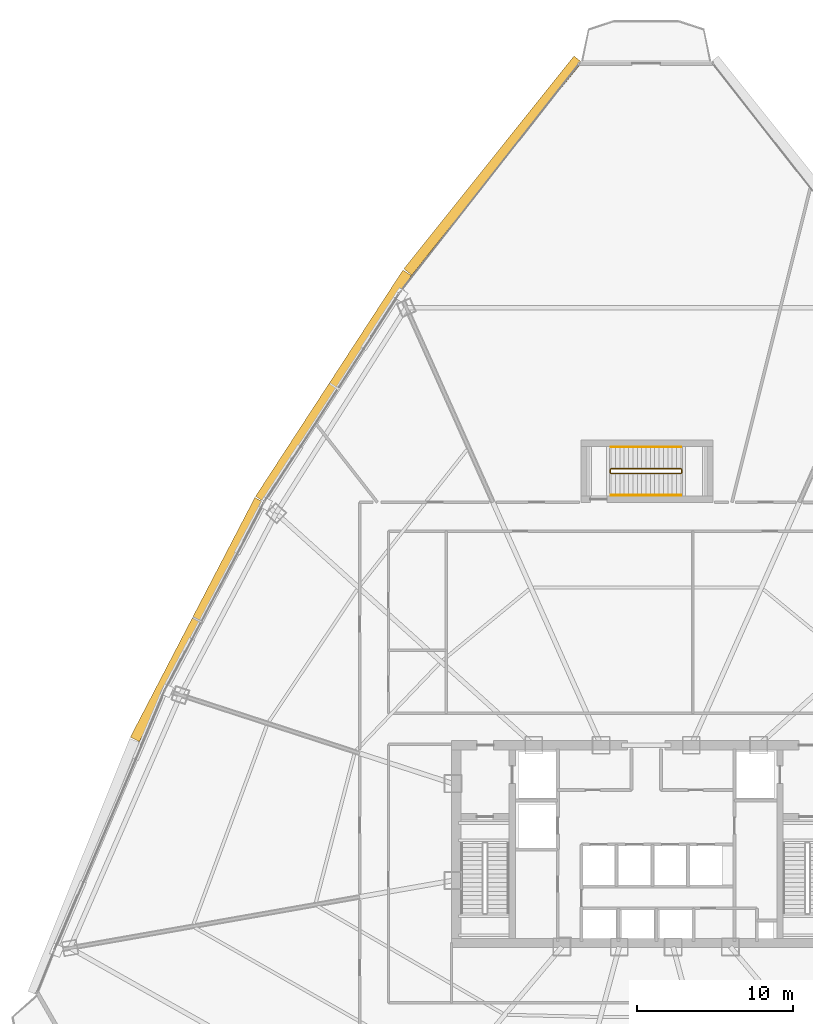
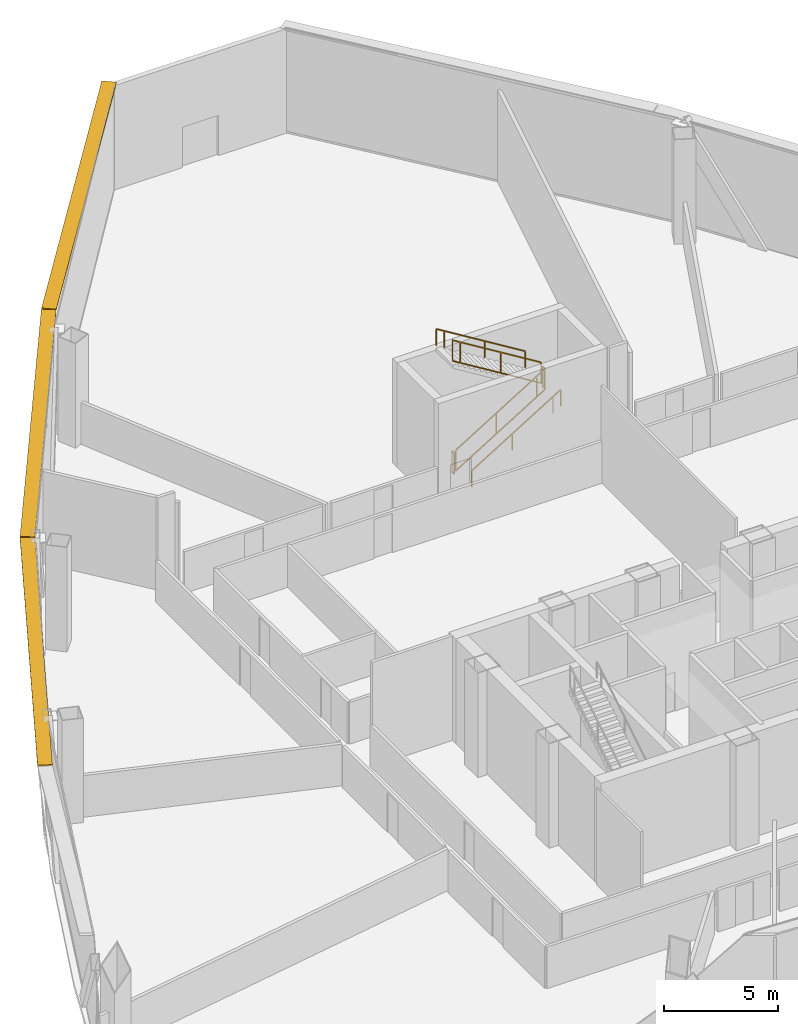
# One storey, part 39 of 40: 6 railings, 3 shading devices.
"""IFC4 building model written with IfcOpenShell, lengths in metres."""

from ifc_helpers import new_model, si_unit, direction, frame, origin, origin_2d, place, context, subcontext, project, spatial, rectangle, extrude, source, transform, mapped, material, layer, layer_set, type_object, element, save


model = new_model("IFC4")

# Units and contexts
model_context = context("Model", 3, precision=1e-05, world=origin(), true_north=direction((0.0, 1.0)))
body_context = subcontext(model_context, "Body", "Model", "MODEL_VIEW")
ifc_project = project(units=[si_unit("LENGTHUNIT", "METRE"), si_unit("AREAUNIT", "SQUARE_METRE"), si_unit("VOLUMEUNIT", "CUBIC_METRE"), si_unit("PLANEANGLEUNIT", "RADIAN"), si_unit("MASSUNIT", "GRAM", prefix="KILO"), si_unit("THERMODYNAMICTEMPERATUREUNIT", "KELVIN"), si_unit("POWERUNIT", "WATT")], contexts=[model_context])

# Site, building, storey
site_placement = place(None, origin())
site = spatial("IfcSite", under=ifc_project, at=site_placement, CompositionType="ELEMENT")
building_placement = place(site_placement, origin())
building = spatial("IfcBuilding", under=site, at=building_placement, Name="Yunzhuo Pagoda Commons", CompositionType="ELEMENT")
storey_placement = place(building_placement, frame((0.0, 0.0, 170.31005859375)))
storey = spatial("IfcBuildingStorey", under=building, at=storey_placement, Name="L43", CompositionType="ELEMENT", Elevation=170.31005859375)

# Railings
ifc_material = material(Name="Anodized aluminium 6063-T6", Category="aluminium")
railing_type_1 = type_object("IfcRailingType", Name="GR-ST3 North Well Guardrail 1155", PredefinedType="GUARDRAIL", material=ifc_material)
railing_1_placement = place(storey_placement, frame((45.75, 57.64990234375, 0.172119140625)))
element("IfcRailing", 1, at=railing_1_placement, inside=storey, type_object=railing_type_1, Name="L43 ST3 stair guard 1", PredefinedType="GUARDRAIL", context=body_context, shape_type="SweptSolid", body=[
    extrude(rectangle(XDim=0.048095703125, YDim=0.048095703125, at=origin_2d()), frame((0.0, 0.0, 1.1259765625), z_axis=(0.851996104429, 0.0, 0.523548123899), x_axis=(0.0, 1.0, 0.0)), (0.0, 0.0, 1.0), 5.25830078125),
    extrude(rectangle(XDim=0.048095703125, YDim=0.048095703125, at=origin_2d()), frame((0.0, 0.0, 0.02392578125), z_axis=(0.851996104429, 0.0, 0.523548123899), x_axis=(0.0, 1.0, 0.0)), (0.0, 0.0, 1.0), 5.25830078125),
    extrude(rectangle(XDim=0.0419921875, YDim=0.0419921875, at=origin_2d()), origin(), (0.0, 0.0, 1.0), 1.101806640625),
    extrude(rectangle(XDim=0.0419921875, YDim=0.0419921875, at=origin_2d()), frame((2.044677734375, 0.0, 1.256591796875)), (0.0, 0.0, 1.0), 1.101806640625),
    extrude(rectangle(XDim=0.0419921875, YDim=0.0419921875, at=origin_2d()), frame((4.089599609375, 0.0, 2.512939453125)), (0.0, 0.0, 1.0), 1.101806640625),
    extrude(rectangle(XDim=0.0419921875, YDim=0.0419921875, at=origin_2d()), frame((4.47998046875, 0.0, 2.7529296875)), (0.0, 0.0, 1.0), 1.101806640625),
])
railing_2_placement = place(storey_placement, frame((50.280029296875, 57.699951171875, 2.925048828125)))
element("IfcRailing", 2, at=railing_2_placement, inside=storey, type_object=railing_type_1, Name="L43 ST3 stair guard 2", PredefinedType="GUARDRAIL", context=body_context, shape_type="SweptSolid", body=[
    extrude(rectangle(XDim=0.048095703125, YDim=0.048095703125, at=origin_2d()), frame((0.0, 0.0, 1.1259765625), z_axis=(0.0, 1.0, 0.0), x_axis=(-1.0, 0.0, 0.0)), (0.0, 0.0, 1.0), 0.199951171875),
    extrude(rectangle(XDim=0.048095703125, YDim=0.048095703125, at=origin_2d()), frame((0.0, 0.0, 0.02392578125), z_axis=(0.0, 1.0, 0.0), x_axis=(-1.0, 0.0, 0.0)), (0.0, 0.0, 1.0), 0.199951171875),
    extrude(rectangle(XDim=0.0419921875, YDim=0.0419921875, at=origin_2d()), origin(), (0.0, 0.0, 1.0), 1.101806640625),
    extrude(rectangle(XDim=0.0419921875, YDim=0.0419921875, at=origin_2d()), frame((0.0, 0.199951171875, 0.0)), (0.0, 0.0, 1.0), 1.101806640625),
])
railing_3_placement = place(storey_placement, frame((50.22998046875, 57.949951171875, 3.096923828125)))
element("IfcRailing", 3, at=railing_3_placement, inside=storey, type_object=railing_type_1, Name="L43 ST3 stair guard 3", PredefinedType="GUARDRAIL", context=body_context, shape_type="SweptSolid", body=[
    extrude(rectangle(XDim=0.048095703125, YDim=0.048095703125, at=origin_2d()), frame((0.0, 0.0, 1.1259765625), z_axis=(-0.851996104429, 0.0, 0.523548123899), x_axis=(0.0, -1.0, 0.0)), (0.0, 0.0, 1.0), 5.25830078125),
    extrude(rectangle(XDim=0.048095703125, YDim=0.048095703125, at=origin_2d()), frame((0.0, 0.0, 0.02392578125), z_axis=(-0.851996104429, 0.0, 0.523548123899), x_axis=(0.0, -1.0, 0.0)), (0.0, 0.0, 1.0), 5.25830078125),
    extrude(rectangle(XDim=0.0419921875, YDim=0.0419921875, at=origin_2d()), origin(), (0.0, 0.0, 1.0), 1.101806640625),
    extrude(rectangle(XDim=0.0419921875, YDim=0.0419921875, at=origin_2d()), frame((-2.044677734375, 0.0, 1.256591796875)), (0.0, 0.0, 1.0), 1.101806640625),
    extrude(rectangle(XDim=0.0419921875, YDim=0.0419921875, at=origin_2d()), frame((-4.089599609375, 0.0, 2.512939453125)), (0.0, 0.0, 1.0), 1.101806640625),
    extrude(rectangle(XDim=0.0419921875, YDim=0.0419921875, at=origin_2d()), frame((-4.47998046875, 0.0, 2.7529296875)), (0.0, 0.0, 1.0), 1.101806640625),
])
railing_4_placement = place(storey_placement, frame((45.699951171875, 57.699951171875, 0.0)))
element("IfcRailing", 4, at=railing_4_placement, inside=storey, type_object=railing_type_1, Name="L43 ST3 stair guard 4", PredefinedType="GUARDRAIL", context=body_context, shape_type="SweptSolid", body=[
    extrude(rectangle(XDim=0.048095703125, YDim=0.048095703125, at=origin_2d()), frame((0.0, 0.0, 1.1259765625), z_axis=(0.0, 1.0, 0.0), x_axis=(-1.0, 0.0, 0.0)), (0.0, 0.0, 1.0), 0.199951171875),
    extrude(rectangle(XDim=0.048095703125, YDim=0.048095703125, at=origin_2d()), frame((0.0, 0.0, 0.02392578125), z_axis=(0.0, 1.0, 0.0), x_axis=(-1.0, 0.0, 0.0)), (0.0, 0.0, 1.0), 0.199951171875),
    extrude(rectangle(XDim=0.0419921875, YDim=0.0419921875, at=origin_2d()), origin(), (0.0, 0.0, 1.0), 1.101806640625),
    extrude(rectangle(XDim=0.0419921875, YDim=0.0419921875, at=origin_2d()), frame((0.0, 0.199951171875, 0.0)), (0.0, 0.0, 1.0), 1.101806640625),
])
railing_type_2 = type_object("IfcRailingType", Name="HR-ST3 North Stair Handrail 900", PredefinedType="HANDRAIL", material=ifc_material)
railing_5_placement = place(storey_placement, frame((45.75, 56.25, 0.172119140625)))
element("IfcRailing", 5, at=railing_5_placement, inside=storey, type_object=railing_type_2, Name="L43 ST3 stair handrail 1", PredefinedType="HANDRAIL", context=body_context, shape_type="SweptSolid", body=[
    extrude(rectangle(XDim=0.048095703125, YDim=0.048095703125, at=origin_2d()), frame((0.0, 0.0, 0.8759765625), z_axis=(0.851996104429, 0.0, 0.523548123899), x_axis=(0.0, 1.0, 0.0)), (0.0, 0.0, 1.0), 5.25830078125),
    extrude(rectangle(XDim=0.0419921875, YDim=0.0419921875, at=origin_2d()), origin(), (0.0, 0.0, 1.0), 0.851806640625),
    extrude(rectangle(XDim=0.0419921875, YDim=0.0419921875, at=origin_2d()), frame((2.044677734375, 0.0, 1.256591796875)), (0.0, 0.0, 1.0), 0.851806640625),
    extrude(rectangle(XDim=0.0419921875, YDim=0.0419921875, at=origin_2d()), frame((4.089599609375, 0.0, 2.512939453125)), (0.0, 0.0, 1.0), 0.851806640625),
    extrude(rectangle(XDim=0.0419921875, YDim=0.0419921875, at=origin_2d()), frame((4.47998046875, 0.0, 2.7529296875)), (0.0, 0.0, 1.0), 0.851806640625),
])
railing_6_placement = place(storey_placement, frame((50.22998046875, 59.35009765625, 3.096923828125)))
element("IfcRailing", 6, at=railing_6_placement, inside=storey, type_object=railing_type_2, Name="L43 ST3 stair handrail 2", PredefinedType="HANDRAIL", context=body_context, shape_type="SweptSolid", body=[
    extrude(rectangle(XDim=0.048095703125, YDim=0.048095703125, at=origin_2d()), frame((0.0, 0.0, 0.8759765625), z_axis=(-0.851996104429, 0.0, 0.523548123899), x_axis=(0.0, -1.0, 0.0)), (0.0, 0.0, 1.0), 5.25830078125),
    extrude(rectangle(XDim=0.0419921875, YDim=0.0419921875, at=origin_2d()), origin(), (0.0, 0.0, 1.0), 0.851806640625),
    extrude(rectangle(XDim=0.0419921875, YDim=0.0419921875, at=origin_2d()), frame((-2.044677734375, 0.0, 1.256591796875)), (0.0, 0.0, 1.0), 0.851806640625),
    extrude(rectangle(XDim=0.0419921875, YDim=0.0419921875, at=origin_2d()), frame((-4.089599609375, 0.0, 2.512939453125)), (0.0, 0.0, 1.0), 0.851806640625),
    extrude(rectangle(XDim=0.0419921875, YDim=0.0419921875, at=origin_2d()), frame((-4.47998046875, 0.0, 2.7529296875)), (0.0, 0.0, 1.0), 0.851806640625),
])

# Shading devices
ifc_layer = layer(ifc_material, 0.080078125)
ifc_layer_set = layer_set([ifc_layer], Name="Anodized aluminium 6063-T6")
shading_device_type = type_object("IfcShadingDeviceType", Name="SH-SUN1 Pagoda Horizontal Sunshade Eave 650", PredefinedType="USERDEFINED", material=ifc_layer_set)
shared_shape_1 = source(origin(), body_context, "Body", "SweptSolid", [
    extrude(rectangle(XDim=17.338134765625, YDim=0.64990234375, at=origin_2d()), origin(), (0.0, 0.0, 1.0), 0.080078125),
])
for number, where, z_axis, x_axis, name in (
    (7, (27.918701171875, 63.2763671875, 5.489990234375), (0.0, 0.0, 1.0), (-0.545853380833, -0.837880711458, 0.0), "L43 horizontal pagoda sunshade eave F3.2"),
    (8, (19.156494140625, 48.265625, 5.489990234375), (0.0, 0.0, 1.0), (-0.461206683033, -0.88729273384, 0.0), "L43 horizontal pagoda sunshade eave F3.3"),
):
    element("IfcShadingDevice", number, at=place(storey_placement, frame(where, z_axis=z_axis, x_axis=x_axis)), inside=storey, type_object=shading_device_type, Name=name, ObjectType="SUNSHADE", PredefinedType="USERDEFINED", context=body_context, shape_type="MappedRepresentation", body=[
        mapped(shared_shape_1, transform((0.0, 0.0, 0.0), scale=1.0)),
    ])
shared_shape_2 = source(origin(), body_context, "Body", "SweptSolid", [
    extrude(rectangle(XDim=17.504150390625, YDim=0.64990234375, at=origin_2d()), origin(), (0.0, 0.0, 1.0), 0.080078125),
])
shading_device_placement = place(storey_placement, frame((38.153564453125, 77.4267578125, 5.489990234375), z_axis=(0.0, 0.0, 1.0), x_axis=(-0.624520471688, -0.781008438138, 0.0)))
element("IfcShadingDevice", 9, at=shading_device_placement, inside=storey, type_object=shading_device_type, Name="L43 horizontal pagoda sunshade eave F3.1", ObjectType="SUNSHADE", PredefinedType="USERDEFINED", context=body_context, shape_type="MappedRepresentation", body=[
    mapped(shared_shape_2, transform((0.0, 0.0, 0.0), scale=1.0)),
])

save(model, "model.ifc")
